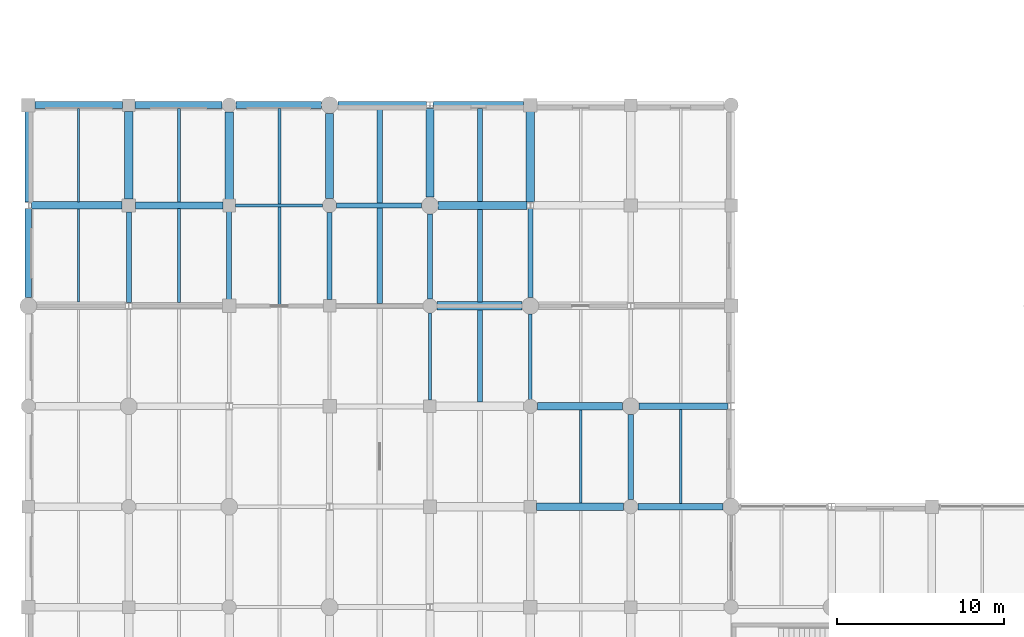
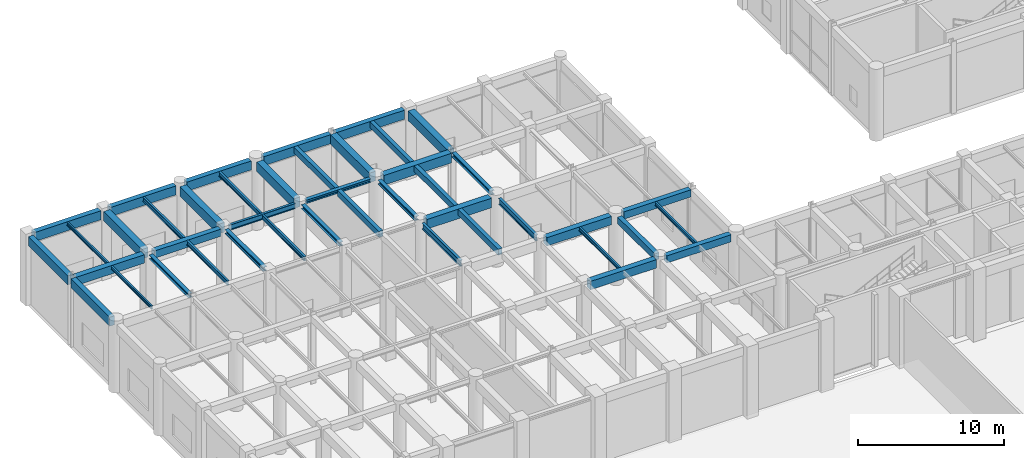
# One storey, part 33 of 106: 43 beams.
"""IFC4 building model written with IfcOpenShell, lengths in metres."""

from ifc_helpers import new_model, si_unit, direction, frame, origin, origin_2d, place, context, subcontext, project, spatial, rectangle, i_section, extrude, material, material_profile, profile_set, type_object, element, save


model = new_model("IFC4")

# Units and contexts
model_context = context("Model", 3, precision=1e-05, world=origin(), true_north=direction((0.0, 1.0)))
body_context = subcontext(model_context, "Body", "Model", "MODEL_VIEW")
ifc_project = project(units=[si_unit("LENGTHUNIT", "METRE"), si_unit("AREAUNIT", "SQUARE_METRE"), si_unit("VOLUMEUNIT", "CUBIC_METRE"), si_unit("PLANEANGLEUNIT", "RADIAN"), si_unit("MASSUNIT", "GRAM", prefix="KILO"), si_unit("THERMODYNAMICTEMPERATUREUNIT", "KELVIN"), si_unit("POWERUNIT", "WATT")], contexts=[model_context])

# Site, building, storey
site_placement = place(None, origin())
site = spatial("IfcSite", under=ifc_project, at=site_placement, CompositionType="ELEMENT")
building_placement = place(site_placement, origin())
building = spatial("IfcBuilding", under=site, at=building_placement, Name="Phaisarnlok Congress Hotel", CompositionType="ELEMENT")
storey_placement = place(building_placement, origin())
storey = spatial("IfcBuildingStorey", under=building, at=storey_placement, Name="L00", CompositionType="ELEMENT", Elevation=0.0)

# Beams
ifc_material_1 = material(Name="Concrete C40/50", Category="concrete")
ifc_material_profile_1 = material_profile(ifc_material_1, rectangle(XDim=0.35009765625, YDim=0.550048828125, at=origin_2d()), Name="RC 350x550")
ifc_profile_set_1 = profile_set([ifc_material_profile_1], Name="Concrete C40/50")
beam_type_1 = type_object("IfcBeamType", Name="BM-RC-350x550", PredefinedType="BEAM", material=ifc_profile_set_1)
beam_1_placement = place(storey_placement, frame((36.0, 96.419921875, 5.465087890625), z_axis=(0.0, 1.0, 0.0), x_axis=(-1.0, 0.0, 0.0)))
element("IfcBeam", 1, at=beam_1_placement, inside=storey, type_object=beam_type_1, Name="Beam B-01", PredefinedType="BEAM", context=body_context, shape_type="SweptSolid", body=[
    extrude(rectangle(XDim=0.35009765625, YDim=0.550048828125, at=origin_2d()), origin(), (0.0, 0.0, 1.0), 5.0849609375),
])
ifc_material_profile_2 = material_profile(ifc_material_1, rectangle(XDim=0.39990234375, YDim=0.60009765625, at=origin_2d()), Name="RC 400x600")
ifc_profile_set_2 = profile_set([ifc_material_profile_2], Name="Concrete C40/50")
beam_type_2 = type_object("IfcBeamType", Name="BM-RC-400x600", PredefinedType="BEAM", material=ifc_profile_set_2)
beam_2_placement = place(storey_placement, frame((6.39501953125, 114.0, 5.43994140625), z_axis=(1.0, 0.0, 0.0), x_axis=(0.0, 1.0, 0.0)))
element("IfcBeam", 2, at=beam_2_placement, inside=storey, type_object=beam_type_2, Name="Beam B-02", PredefinedType="BEAM", context=body_context, shape_type="SweptSolid", body=[
    extrude(rectangle(XDim=0.39990234375, YDim=0.60009765625, at=origin_2d()), origin(), (0.0, 0.0, 1.0), 5.23486328125),
])
beam_3_placement = place(storey_placement, frame((36.419921875, 96.0, 5.43994140625), z_axis=(1.0, 0.0, 0.0), x_axis=(0.0, 1.0, 0.0)))
element("IfcBeam", 3, at=beam_3_placement, inside=storey, type_object=beam_type_2, Name="Beam B-02", PredefinedType="BEAM", context=body_context, shape_type="SweptSolid", body=[
    extrude(rectangle(XDim=0.39990234375, YDim=0.60009765625, at=origin_2d()), origin(), (0.0, 0.0, 1.0), 5.0849609375),
])
beam_4_placement = place(storey_placement, frame((36.4951171875, 102.0, 5.43994140625), z_axis=(1.0, 0.0, 0.0), x_axis=(0.0, 1.0, 0.0)))
element("IfcBeam", 4, at=beam_4_placement, inside=storey, type_object=beam_type_2, Name="Beam B-02", PredefinedType="BEAM", context=body_context, shape_type="SweptSolid", body=[
    extrude(rectangle(XDim=0.39990234375, YDim=0.60009765625, at=origin_2d()), origin(), (0.0, 0.0, 1.0), 5.309326171875),
])
ifc_material_profile_3 = material_profile(ifc_material_1, rectangle(XDim=0.449951171875, YDim=0.699951171875, at=origin_2d()), Name="RC 450x700")
ifc_profile_set_3 = profile_set([ifc_material_profile_3], Name="Concrete C40/50")
beam_type_3 = type_object("IfcBeamType", Name="BM-RC-450x700", PredefinedType="BEAM", material=ifc_profile_set_3)
beam_5_placement = place(storey_placement, frame((0.195556640625, 114.0, 5.389892578125), z_axis=(1.0, 0.0, 0.0), x_axis=(0.0, 1.0, 0.0)))
element("IfcBeam", 5, at=beam_5_placement, inside=storey, type_object=beam_type_3, Name="Beam B-03", PredefinedType="BEAM", context=body_context, shape_type="SweptSolid", body=[
    extrude(rectangle(XDim=0.449951171875, YDim=0.699951171875, at=origin_2d()), origin(), (0.0, 0.0, 1.0), 5.409423828125),
])
beam_6_placement = place(storey_placement, frame((30.3701171875, 96.0, 5.389892578125), z_axis=(1.0, 0.0, 0.0), x_axis=(0.0, 1.0, 0.0)))
element("IfcBeam", 6, at=beam_6_placement, inside=storey, type_object=beam_type_3, Name="Beam B-03", PredefinedType="BEAM", context=body_context, shape_type="SweptSolid", body=[
    extrude(rectangle(XDim=0.449951171875, YDim=0.699951171875, at=origin_2d()), origin(), (0.0, 0.0, 1.0), 5.2099609375),
])
beam_7_placement = place(storey_placement, frame((30.419921875, 102.0, 5.389892578125), z_axis=(1.0, 0.0, 0.0), x_axis=(0.0, 1.0, 0.0)))
element("IfcBeam", 7, at=beam_7_placement, inside=storey, type_object=beam_type_3, Name="Beam B-03", PredefinedType="BEAM", context=body_context, shape_type="SweptSolid", body=[
    extrude(rectangle(XDim=0.449951171875, YDim=0.699951171875, at=origin_2d()), origin(), (0.0, 0.0, 1.0), 5.0849609375),
])
ifc_material_profile_4 = material_profile(ifc_material_1, rectangle(XDim=0.5, YDim=0.800048828125, at=origin_2d()), Name="RC 500x800")
ifc_profile_set_4 = profile_set([ifc_material_profile_4], Name="Concrete C40/50")
beam_type_4 = type_object("IfcBeamType", Name="BM-RC-500x800", PredefinedType="BEAM", material=ifc_profile_set_4)
beam_8_placement = place(storey_placement, frame((6.0, 114.39501953125, 5.340087890625), z_axis=(0.0, 1.0, 0.0), x_axis=(-1.0, 0.0, 0.0)))
element("IfcBeam", 8, at=beam_8_placement, inside=storey, type_object=beam_type_4, Name="Beam B-04", PredefinedType="BEAM", context=body_context, shape_type="SweptSolid", body=[
    extrude(rectangle(XDim=0.5, YDim=0.800048828125, at=origin_2d()), origin(), (0.0, 0.0, 1.0), 5.23486328125),
])
beam_9_placement = place(storey_placement, frame((12.0, 114.3701171875, 5.340087890625), z_axis=(0.0, 1.0, 0.0), x_axis=(-1.0, 0.0, 0.0)))
element("IfcBeam", 9, at=beam_9_placement, inside=storey, type_object=beam_type_4, Name="Beam B-04", PredefinedType="BEAM", context=body_context, shape_type="SweptSolid", body=[
    extrude(rectangle(XDim=0.5, YDim=0.800048828125, at=origin_2d()), origin(), (0.0, 0.0, 1.0), 5.2099609375),
])
for number, where, z_axis, x_axis, name in (
    (10, (18.0, 114.419921875, 5.340087890625), (0.0, 1.0, 0.0), (-1.0, 0.0, 0.0), "Beam B-04"),
    (11, (24.419921875, 108.0, 5.340087890625), (1.0, 0.0, 0.0), (0.0, 1.0, 0.0), "Beam B-04"),
):
    element("IfcBeam", number, at=place(storey_placement, frame(where, z_axis=z_axis, x_axis=x_axis)), inside=storey, type_object=beam_type_4, Name=name, PredefinedType="BEAM", context=body_context, shape_type="SweptSolid", body=[
        extrude(rectangle(XDim=0.5, YDim=0.800048828125, at=origin_2d()), origin(), (0.0, 0.0, 1.0), 5.0849609375),
    ])
beam_10_placement = place(storey_placement, frame((24.4951171875, 114.0, 5.340087890625), z_axis=(1.0, 0.0, 0.0), x_axis=(0.0, 1.0, 0.0)))
element("IfcBeam", 12, at=beam_10_placement, inside=storey, type_object=beam_type_4, Name="Beam B-04", PredefinedType="BEAM", context=body_context, shape_type="SweptSolid", body=[
    extrude(rectangle(XDim=0.5, YDim=0.800048828125, at=origin_2d()), origin(), (0.0, 0.0, 1.0), 5.309326171875),
])
beam_11_placement = place(storey_placement, frame((24.0, 114.4951171875, 5.340087890625), z_axis=(0.0, 1.0, 0.0), x_axis=(-1.0, 0.0, 0.0)))
element("IfcBeam", 13, at=beam_11_placement, inside=storey, type_object=beam_type_4, Name="Beam B-04", PredefinedType="BEAM", context=body_context, shape_type="SweptSolid", body=[
    extrude(rectangle(XDim=0.5, YDim=0.800048828125, at=origin_2d()), origin(), (0.0, 0.0, 1.0), 5.310302734375),
])
beam_12_placement = place(storey_placement, frame((30.0, 114.194580078125, 5.340087890625), z_axis=(0.0, 1.0, 0.0), x_axis=(-1.0, 0.0, 0.0)))
element("IfcBeam", 14, at=beam_12_placement, inside=storey, type_object=beam_type_4, Name="Beam B-04", PredefinedType="BEAM", context=body_context, shape_type="SweptSolid", body=[
    extrude(rectangle(XDim=0.5, YDim=0.800048828125, at=origin_2d()), origin(), (0.0, 0.0, 1.0), 5.410400390625),
])
ifc_material_2 = material(Name="Steel S355", Category="steel")
ifc_material_profile_5 = material_profile(ifc_material_2, i_section(OverallWidth=0.300048828125, OverallDepth=0.2900390625, WebThickness=0.008544921875, FlangeThickness=0.013916015625, FilletRadius=0.027099609375, at=origin_2d()), Name="HEA 300")
ifc_profile_set_5 = profile_set([ifc_material_profile_5], Name="Steel S355")
beam_type_5 = type_object("IfcBeamType", Name="BM-STL-HEA300", PredefinedType="BEAM", material=ifc_profile_set_5)
beam_13_placement = place(storey_placement, frame((18.419921875, 114.0, 5.594970703125), z_axis=(1.0, 0.0, 0.0), x_axis=(0.0, 1.0, 0.0)))
element("IfcBeam", 15, at=beam_13_placement, inside=storey, type_object=beam_type_5, Name="Beam SB-05", PredefinedType="BEAM", context=body_context, shape_type="SweptSolid", body=[
    extrude(i_section(OverallWidth=0.300048828125, OverallDepth=0.2900390625, WebThickness=0.008544921875, FlangeThickness=0.013916015625, FilletRadius=0.027099609375, at=origin_2d()), origin(), (0.0, 0.0, 1.0), 5.0849609375),
])
ifc_material_profile_6 = material_profile(ifc_material_2, i_section(OverallWidth=0.300048828125, OverallDepth=0.340087890625, WebThickness=0.011962890625, FlangeThickness=0.021484375, FilletRadius=0.027099609375, at=origin_2d()), Name="HEB 340")
ifc_profile_set_6 = profile_set([ifc_material_profile_6], Name="Steel S355")
beam_type_6 = type_object("IfcBeamType", Name="BM-STL-HEB340", PredefinedType="BEAM", material=ifc_profile_set_6)
beam_14_placement = place(storey_placement, frame((6.0, 108.194580078125, 5.570068359375), z_axis=(0.0, 1.0, 0.0), x_axis=(-1.0, 0.0, 0.0)))
element("IfcBeam", 16, at=beam_14_placement, inside=storey, type_object=beam_type_6, Name="Beam SB-07", PredefinedType="BEAM", context=body_context, shape_type="SweptSolid", body=[
    extrude(i_section(OverallWidth=0.300048828125, OverallDepth=0.340087890625, WebThickness=0.011962890625, FlangeThickness=0.021484375, FilletRadius=0.027099609375, at=origin_2d()), origin(), (0.0, 0.0, 1.0), 5.410400390625),
])
beam_15_placement = place(storey_placement, frame((12.0, 108.39501953125, 5.570068359375), z_axis=(0.0, 1.0, 0.0), x_axis=(-1.0, 0.0, 0.0)))
element("IfcBeam", 17, at=beam_15_placement, inside=storey, type_object=beam_type_6, Name="Beam SB-07", PredefinedType="BEAM", context=body_context, shape_type="SweptSolid", body=[
    extrude(i_section(OverallWidth=0.300048828125, OverallDepth=0.340087890625, WebThickness=0.011962890625, FlangeThickness=0.021484375, FilletRadius=0.027099609375, at=origin_2d()), origin(), (0.0, 0.0, 1.0), 5.23486328125),
])
beam_16_placement = place(storey_placement, frame((18.0, 108.3701171875, 5.570068359375), z_axis=(0.0, 1.0, 0.0), x_axis=(-1.0, 0.0, 0.0)))
element("IfcBeam", 18, at=beam_16_placement, inside=storey, type_object=beam_type_6, Name="Beam SB-07", PredefinedType="BEAM", context=body_context, shape_type="SweptSolid", body=[
    extrude(i_section(OverallWidth=0.300048828125, OverallDepth=0.340087890625, WebThickness=0.011962890625, FlangeThickness=0.021484375, FilletRadius=0.027099609375, at=origin_2d()), origin(), (0.0, 0.0, 1.0), 5.2099609375),
])
beam_17_placement = place(storey_placement, frame((24.0, 108.419921875, 5.570068359375), z_axis=(0.0, 1.0, 0.0), x_axis=(-1.0, 0.0, 0.0)))
element("IfcBeam", 19, at=beam_17_placement, inside=storey, type_object=beam_type_6, Name="Beam SB-07", PredefinedType="BEAM", context=body_context, shape_type="SweptSolid", body=[
    extrude(i_section(OverallWidth=0.300048828125, OverallDepth=0.340087890625, WebThickness=0.011962890625, FlangeThickness=0.021484375, FilletRadius=0.027099609375, at=origin_2d()), origin(), (0.0, 0.0, 1.0), 5.0849609375),
])
beam_18_placement = place(storey_placement, frame((30.0, 108.4951171875, 5.570068359375), z_axis=(0.0, 1.0, 0.0), x_axis=(-1.0, 0.0, 0.0)))
element("IfcBeam", 20, at=beam_18_placement, inside=storey, type_object=beam_type_6, Name="Beam SB-07", PredefinedType="BEAM", context=body_context, shape_type="SweptSolid", body=[
    extrude(i_section(OverallWidth=0.300048828125, OverallDepth=0.340087890625, WebThickness=0.011962890625, FlangeThickness=0.021484375, FilletRadius=0.027099609375, at=origin_2d()), origin(), (0.0, 0.0, 1.0), 5.310302734375),
])
ifc_material_profile_7 = material_profile(ifc_material_2, i_section(OverallWidth=0.18994140625, OverallDepth=0.449951171875, WebThickness=0.009521484375, FlangeThickness=0.0146484375, FilletRadius=0.02099609375, at=origin_2d()), Name="IPE 450")
ifc_profile_set_7 = profile_set([ifc_material_profile_7], Name="Steel S355")
beam_type_7 = type_object("IfcBeamType", Name="BM-STL-IPE450", PredefinedType="BEAM", material=ifc_profile_set_7)
beam_19_placement = place(storey_placement, frame((12.3701171875, 114.0, 5.514892578125), z_axis=(1.0, 0.0, 0.0), x_axis=(0.0, 1.0, 0.0)))
element("IfcBeam", 21, at=beam_19_placement, inside=storey, type_object=beam_type_7, Name="Beam SB-01", PredefinedType="BEAM", context=body_context, shape_type="SweptSolid", body=[
    extrude(i_section(OverallWidth=0.18994140625, OverallDepth=0.449951171875, WebThickness=0.009521484375, FlangeThickness=0.0146484375, FilletRadius=0.02099609375, at=origin_2d()), origin(), (0.0, 0.0, 1.0), 5.2099609375),
])
ifc_material_profile_8 = material_profile(ifc_material_2, i_section(OverallWidth=0.199951171875, OverallDepth=0.5, WebThickness=0.01025390625, FlangeThickness=0.01611328125, FilletRadius=0.02099609375, at=origin_2d()), Name="IPE 500")
ifc_profile_set_8 = profile_set([ifc_material_profile_8], Name="Steel S355")
beam_type_8 = type_object("IfcBeamType", Name="BM-STL-IPE500", PredefinedType="BEAM", material=ifc_profile_set_8)
beam_20_placement = place(storey_placement, frame((24.0, 102.3701171875, 5.489990234375), z_axis=(0.0, 1.0, 0.0), x_axis=(-1.0, 0.0, 0.0)))
element("IfcBeam", 22, at=beam_20_placement, inside=storey, type_object=beam_type_8, Name="Beam SB-02", PredefinedType="BEAM", context=body_context, shape_type="SweptSolid", body=[
    extrude(i_section(OverallWidth=0.199951171875, OverallDepth=0.5, WebThickness=0.01025390625, FlangeThickness=0.01611328125, FilletRadius=0.02099609375, at=origin_2d()), origin(), (0.0, 0.0, 1.0), 5.2099609375),
])
beam_21_placement = place(storey_placement, frame((30.0, 102.419921875, 5.489990234375), z_axis=(0.0, 1.0, 0.0), x_axis=(-1.0, 0.0, 0.0)))
element("IfcBeam", 23, at=beam_21_placement, inside=storey, type_object=beam_type_8, Name="Beam SB-02", PredefinedType="BEAM", context=body_context, shape_type="SweptSolid", body=[
    extrude(i_section(OverallWidth=0.199951171875, OverallDepth=0.5, WebThickness=0.01025390625, FlangeThickness=0.01611328125, FilletRadius=0.02099609375, at=origin_2d()), origin(), (0.0, 0.0, 1.0), 5.0849609375),
])
ifc_material_profile_9 = material_profile(ifc_material_1, rectangle(XDim=0.300048828125, YDim=0.5, at=origin_2d()), Name="RC 300x500")
ifc_profile_set_9 = profile_set([ifc_material_profile_9], Name="Concrete C40/50")
beam_type_9 = type_object("IfcBeamType", Name="JS-RC-300x500", PredefinedType="JOIST", material=ifc_profile_set_9)
beam_22_placement = place(storey_placement, frame((21.0, 108.14501953125, 5.489990234375), z_axis=(0.0, 1.0, 0.0), x_axis=(-1.0, 0.0, 0.0)))
element("IfcBeam", 24, at=beam_22_placement, inside=storey, type_object=beam_type_9, Name="Secondary floor joist J-01", PredefinedType="JOIST", context=body_context, shape_type="SweptSolid", body=[
    extrude(rectangle(XDim=0.300048828125, YDim=0.5, at=origin_2d()), origin(), (0.0, 0.0, 1.0), 5.7099609375),
])
beam_23_placement = place(storey_placement, frame((21.0, 114.14501953125, 5.489990234375), z_axis=(0.0, 1.0, 0.0), x_axis=(-1.0, 0.0, 0.0)))
element("IfcBeam", 25, at=beam_23_placement, inside=storey, type_object=beam_type_9, Name="Secondary floor joist J-01", PredefinedType="JOIST", context=body_context, shape_type="SweptSolid", body=[
    extrude(rectangle(XDim=0.300048828125, YDim=0.5, at=origin_2d()), origin(), (0.0, 0.0, 1.0), 5.659912109375),
])
for number, where, z_axis, x_axis, name in (
    (26, (27.0, 102.2451171875, 5.489990234375), (0.0, 1.0, 0.0), (-1.0, 0.0, 0.0), "Secondary floor joist J-01"),
    (27, (27.0, 108.2451171875, 5.489990234375), (0.0, 1.0, 0.0), (-1.0, 0.0, 0.0), "Secondary floor joist J-01"),
):
    element("IfcBeam", number, at=place(storey_placement, frame(where, z_axis=z_axis, x_axis=x_axis)), inside=storey, type_object=beam_type_9, Name=name, PredefinedType="JOIST", context=body_context, shape_type="SweptSolid", body=[
        extrude(rectangle(XDim=0.300048828125, YDim=0.5, at=origin_2d()), origin(), (0.0, 0.0, 1.0), 5.509765625),
    ])
beam_24_placement = place(storey_placement, frame((27.0, 114.2451171875, 5.489990234375), z_axis=(0.0, 1.0, 0.0), x_axis=(-1.0, 0.0, 0.0)))
element("IfcBeam", 28, at=beam_24_placement, inside=storey, type_object=beam_type_9, Name="Secondary floor joist J-01", PredefinedType="JOIST", context=body_context, shape_type="SweptSolid", body=[
    extrude(rectangle(XDim=0.300048828125, YDim=0.5, at=origin_2d()), origin(), (0.0, 0.0, 1.0), 5.559814453125),
])
ifc_material_profile_10 = material_profile(ifc_material_2, i_section(OverallWidth=0.135009765625, OverallDepth=0.27001953125, WebThickness=0.006591796875, FlangeThickness=0.01025390625, FilletRadius=0.014892578125, at=origin_2d()), Name="IPE 270")
ifc_profile_set_10 = profile_set([ifc_material_profile_10], Name="Steel S355")
beam_type_10 = type_object("IfcBeamType", Name="JS-STL-IPE270", PredefinedType="JOIST", material=ifc_profile_set_10)
beam_25_placement = place(storey_placement, frame((3.0, 108.219970703125, 5.60498046875), z_axis=(0.0, 1.0, 0.0), x_axis=(-1.0, 0.0, 0.0)))
element("IfcBeam", 29, at=beam_25_placement, inside=storey, type_object=beam_type_10, Name="Secondary floor joist J-02", PredefinedType="JOIST", context=body_context, shape_type="SweptSolid", body=[
    extrude(i_section(OverallWidth=0.135009765625, OverallDepth=0.27001953125, WebThickness=0.006591796875, FlangeThickness=0.01025390625, FilletRadius=0.014892578125, at=origin_2d()), origin(), (0.0, 0.0, 1.0), 5.56005859375),
])
beam_26_placement = place(storey_placement, frame((3.0, 114.219970703125, 5.60498046875), z_axis=(0.0, 1.0, 0.0), x_axis=(-1.0, 0.0, 0.0)))
element("IfcBeam", 30, at=beam_26_placement, inside=storey, type_object=beam_type_10, Name="Secondary floor joist J-02", PredefinedType="JOIST", context=body_context, shape_type="SweptSolid", body=[
    extrude(i_section(OverallWidth=0.135009765625, OverallDepth=0.27001953125, WebThickness=0.006591796875, FlangeThickness=0.01025390625, FilletRadius=0.014892578125, at=origin_2d()), origin(), (0.0, 0.0, 1.0), 5.5849609375),
])
ifc_material_profile_11 = material_profile(ifc_material_2, i_section(OverallWidth=0.14990234375, OverallDepth=0.300048828125, WebThickness=0.007080078125, FlangeThickness=0.0107421875, FilletRadius=0.014892578125, at=origin_2d()), Name="IPE 300")
ifc_profile_set_11 = profile_set([ifc_material_profile_11], Name="Steel S355")
beam_type_11 = type_object("IfcBeamType", Name="JS-STL-IPE300", PredefinedType="JOIST", material=ifc_profile_set_11)
beam_27_placement = place(storey_placement, frame((33.0, 96.219970703125, 5.590087890625), z_axis=(0.0, 1.0, 0.0), x_axis=(-1.0, 0.0, 0.0)))
element("IfcBeam", 31, at=beam_27_placement, inside=storey, type_object=beam_type_11, Name="Secondary floor joist J-03", PredefinedType="JOIST", context=body_context, shape_type="SweptSolid", body=[
    extrude(i_section(OverallWidth=0.14990234375, OverallDepth=0.300048828125, WebThickness=0.007080078125, FlangeThickness=0.0107421875, FilletRadius=0.014892578125, at=origin_2d()), origin(), (0.0, 0.0, 1.0), 5.56005859375),
])
beam_28_placement = place(storey_placement, frame((39.0, 96.195068359375, 5.590087890625), z_axis=(0.0, 1.0, 0.0), x_axis=(-1.0, 0.0, 0.0)))
element("IfcBeam", 32, at=beam_28_placement, inside=storey, type_object=beam_type_11, Name="Secondary floor joist J-03", PredefinedType="JOIST", context=body_context, shape_type="SweptSolid", body=[
    extrude(i_section(OverallWidth=0.14990234375, OverallDepth=0.300048828125, WebThickness=0.007080078125, FlangeThickness=0.0107421875, FilletRadius=0.014892578125, at=origin_2d()), origin(), (0.0, 0.0, 1.0), 5.60986328125),
])
ifc_material_profile_12 = material_profile(ifc_material_2, i_section(OverallWidth=0.169921875, OverallDepth=0.360107421875, WebThickness=0.008056640625, FlangeThickness=0.0126953125, FilletRadius=0.01806640625, at=origin_2d()), Name="IPE 360")
ifc_profile_set_12 = profile_set([ifc_material_profile_12], Name="Steel S355")
beam_type_12 = type_object("IfcBeamType", Name="JS-STL-IPE360", PredefinedType="JOIST", material=ifc_profile_set_12)
for number, where, z_axis, x_axis, name in (
    (33, (9.0, 108.195068359375, 5.56005859375), (0.0, 1.0, 0.0), (-1.0, 0.0, 0.0), "Secondary floor joist J-04"),
    (34, (9.0, 114.195068359375, 5.56005859375), (0.0, 1.0, 0.0), (-1.0, 0.0, 0.0), "Secondary floor joist J-04"),
):
    element("IfcBeam", number, at=place(storey_placement, frame(where, z_axis=z_axis, x_axis=x_axis)), inside=storey, type_object=beam_type_12, Name=name, PredefinedType="JOIST", context=body_context, shape_type="SweptSolid", body=[
        extrude(i_section(OverallWidth=0.169921875, OverallDepth=0.360107421875, WebThickness=0.008056640625, FlangeThickness=0.0126953125, FilletRadius=0.01806640625, at=origin_2d()), origin(), (0.0, 0.0, 1.0), 5.60986328125),
    ])
beam_29_placement = place(storey_placement, frame((15.0, 108.090087890625, 5.56005859375), z_axis=(0.0, 1.0, 0.0), x_axis=(-1.0, 0.0, 0.0)))
element("IfcBeam", 35, at=beam_29_placement, inside=storey, type_object=beam_type_12, Name="Secondary floor joist J-04", PredefinedType="JOIST", context=body_context, shape_type="SweptSolid", body=[
    extrude(i_section(OverallWidth=0.169921875, OverallDepth=0.360107421875, WebThickness=0.008056640625, FlangeThickness=0.0126953125, FilletRadius=0.01806640625, at=origin_2d()), origin(), (0.0, 0.0, 1.0), 5.81982421875),
])
beam_30_placement = place(storey_placement, frame((15.0, 114.090087890625, 5.56005859375), z_axis=(0.0, 1.0, 0.0), x_axis=(-1.0, 0.0, 0.0)))
element("IfcBeam", 36, at=beam_30_placement, inside=storey, type_object=beam_type_12, Name="Secondary floor joist J-04", PredefinedType="JOIST", context=body_context, shape_type="SweptSolid", body=[
    extrude(i_section(OverallWidth=0.169921875, OverallDepth=0.360107421875, WebThickness=0.008056640625, FlangeThickness=0.0126953125, FilletRadius=0.01806640625, at=origin_2d()), origin(), (0.0, 0.0, 1.0), 5.71484375),
])
ifc_material_profile_13 = material_profile(ifc_material_1, rectangle(XDim=0.39990234375, YDim=0.75, at=origin_2d()), Name="RC 400x750")
ifc_profile_set_13 = profile_set([ifc_material_profile_13], Name="Concrete C40/50")
beam_type_13 = type_object("IfcBeamType", Name="SP-RC-400x750", PredefinedType="SPANDREL", material=ifc_profile_set_13)
beam_31_placement = place(storey_placement, frame((0.0, 108.4951171875, 5.364990234375), z_axis=(0.0, 1.0, 0.0), x_axis=(-1.0, 0.0, 0.0)))
element("IfcBeam", 37, at=beam_31_placement, inside=storey, type_object=beam_type_13, Name="Beam SP-02", PredefinedType="SPANDREL", context=body_context, shape_type="SweptSolid", body=[
    extrude(rectangle(XDim=0.39990234375, YDim=0.75, at=origin_2d()), origin(), (0.0, 0.0, 1.0), 5.310302734375),
])
beam_32_placement = place(storey_placement, frame((0.0, 114.194580078125, 5.364990234375), z_axis=(0.0, 1.0, 0.0), x_axis=(-1.0, 0.0, 0.0)))
element("IfcBeam", 38, at=beam_32_placement, inside=storey, type_object=beam_type_13, Name="Beam SP-02", PredefinedType="SPANDREL", context=body_context, shape_type="SweptSolid", body=[
    extrude(rectangle(XDim=0.39990234375, YDim=0.75, at=origin_2d()), origin(), (0.0, 0.0, 1.0), 5.410400390625),
])
beam_33_placement = place(storey_placement, frame((0.39501953125, 120.0, 5.364990234375), z_axis=(1.0, 0.0, 0.0), x_axis=(0.0, 1.0, 0.0)))
element("IfcBeam", 39, at=beam_33_placement, inside=storey, type_object=beam_type_13, Name="Beam SP-02", PredefinedType="SPANDREL", context=body_context, shape_type="SweptSolid", body=[
    extrude(rectangle(XDim=0.39990234375, YDim=0.75, at=origin_2d()), origin(), (0.0, 0.0, 1.0), 5.23486328125),
])
beam_34_placement = place(storey_placement, frame((6.3701171875, 120.0, 5.364990234375), z_axis=(1.0, 0.0, 0.0), x_axis=(0.0, 1.0, 0.0)))
element("IfcBeam", 40, at=beam_34_placement, inside=storey, type_object=beam_type_13, Name="Beam SP-02", PredefinedType="SPANDREL", context=body_context, shape_type="SweptSolid", body=[
    extrude(rectangle(XDim=0.39990234375, YDim=0.75, at=origin_2d()), origin(), (0.0, 0.0, 1.0), 5.2099609375),
])
beam_35_placement = place(storey_placement, frame((12.419921875, 120.0, 5.364990234375), z_axis=(1.0, 0.0, 0.0), x_axis=(0.0, 1.0, 0.0)))
element("IfcBeam", 41, at=beam_35_placement, inside=storey, type_object=beam_type_13, Name="Beam SP-02", PredefinedType="SPANDREL", context=body_context, shape_type="SweptSolid", body=[
    extrude(rectangle(XDim=0.39990234375, YDim=0.75, at=origin_2d()), origin(), (0.0, 0.0, 1.0), 5.0849609375),
])
beam_36_placement = place(storey_placement, frame((18.4951171875, 120.0, 5.364990234375), z_axis=(1.0, 0.0, 0.0), x_axis=(0.0, 1.0, 0.0)))
element("IfcBeam", 42, at=beam_36_placement, inside=storey, type_object=beam_type_13, Name="Beam SP-02", PredefinedType="SPANDREL", context=body_context, shape_type="SweptSolid", body=[
    extrude(rectangle(XDim=0.39990234375, YDim=0.75, at=origin_2d()), origin(), (0.0, 0.0, 1.0), 5.309326171875),
])
beam_37_placement = place(storey_placement, frame((24.195556640625, 120.0, 5.364990234375), z_axis=(1.0, 0.0, 0.0), x_axis=(0.0, 1.0, 0.0)))
element("IfcBeam", 43, at=beam_37_placement, inside=storey, type_object=beam_type_13, Name="Beam SP-02", PredefinedType="SPANDREL", context=body_context, shape_type="SweptSolid", body=[
    extrude(rectangle(XDim=0.39990234375, YDim=0.75, at=origin_2d()), origin(), (0.0, 0.0, 1.0), 5.409423828125),
])

save(model, "model.ifc")
